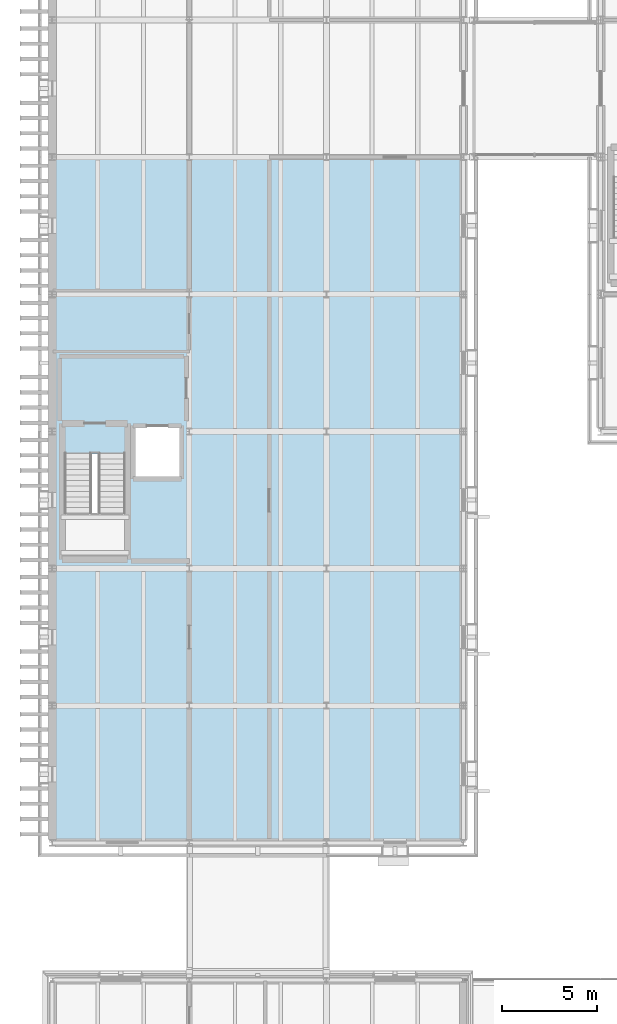
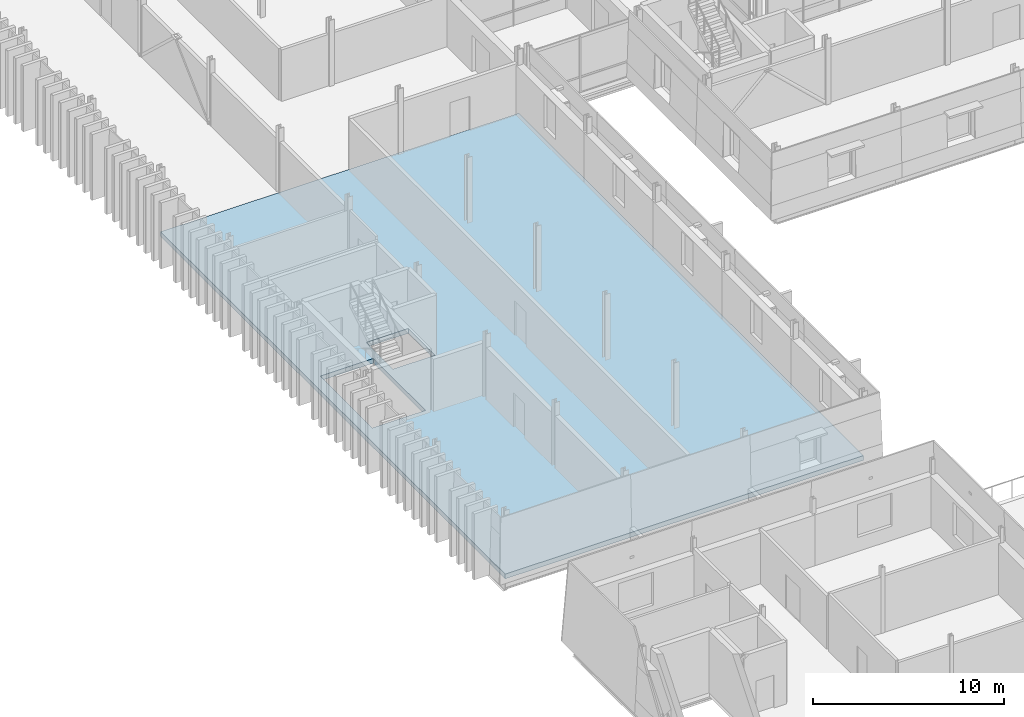
# One storey, part 46 of 115: 1 slab.
"""IFC4 building model written with IfcOpenShell, lengths in metres."""

from ifc_helpers import new_model, si_unit, direction, frame, origin, place, context, subcontext, project, spatial, polyline, outline, extrude, material, layer, layer_set, type_object, element, save


model = new_model("IFC4")

# Units and contexts
model_context = context("Model", 3, precision=1e-05, world=origin(), true_north=direction((0.0, 1.0)))
body_context = subcontext(model_context, "Body", "Model", "MODEL_VIEW")
ifc_project = project(units=[si_unit("LENGTHUNIT", "METRE"), si_unit("AREAUNIT", "SQUARE_METRE"), si_unit("VOLUMEUNIT", "CUBIC_METRE"), si_unit("PLANEANGLEUNIT", "RADIAN"), si_unit("MASSUNIT", "GRAM", prefix="KILO")], contexts=[model_context])

# Site, building, storey
site_placement = place(None, origin())
site = spatial("IfcSite", under=ifc_project, at=site_placement, CompositionType="ELEMENT")
building_placement = place(site_placement, origin())
building = spatial("IfcBuilding", under=site, at=building_placement, Name="Narikvali Park Central Library", CompositionType="ELEMENT")
storey_placement = place(building_placement, frame((0.0, 0.0, 10.199951171875)))
storey = spatial("IfcBuildingStorey", under=building, at=storey_placement, Name="L02", CompositionType="ELEMENT", Elevation=10.199951171875)

# Slab
ifc_material = material(Name="Concrete C40/50", Category="concrete")
ifc_layer = layer(ifc_material, 0.300048828125, Name="Concrete C40/50")
ifc_layer_set = layer_set([ifc_layer], Name="Concrete C40/50")
slab_type = type_object("IfcSlabType", Name="Heavy Stack Composite Slab 300", PredefinedType="FLOOR", material=ifc_layer_set)
slab_placement = place(storey_placement, frame((0.0, 0.0, -0.300048828125)))
element("IfcSlab", 1, at=slab_placement, inside=storey, type_object=slab_type, Name="V5 L02 Structural Slab Panel 1", PredefinedType="FLOOR", context=body_context, shape_type="SweptSolid", body=[
    extrude(outline(polyline([(0.0, 28.800048828125), (21.60009765625, 28.800048828125), (21.60009765625, 64.800048828125), (0.0, 64.800048828125), (0.0, 28.800048828125)]), holes=[polyline([(0.64990234375, 43.800048828125), (3.85009765625, 43.800048828125), (3.85009765625, 49.25), (0.64990234375, 49.25), (0.64990234375, 43.800048828125)]), polyline([(4.25, 47.89990234375), (6.800048828125, 47.89990234375), (6.800048828125, 50.699951171875), (4.25, 50.699951171875), (4.25, 47.89990234375)])]), origin(), (0.0, 0.0, 1.0), 0.300048828125),
])

save(model, "model.ifc")
